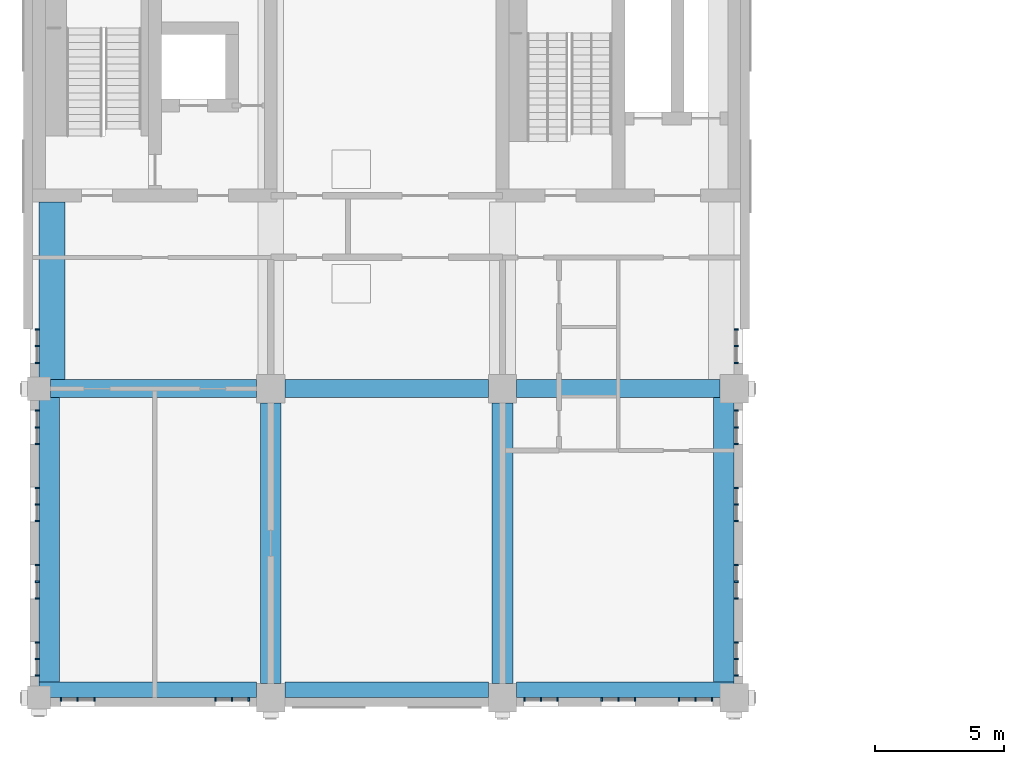
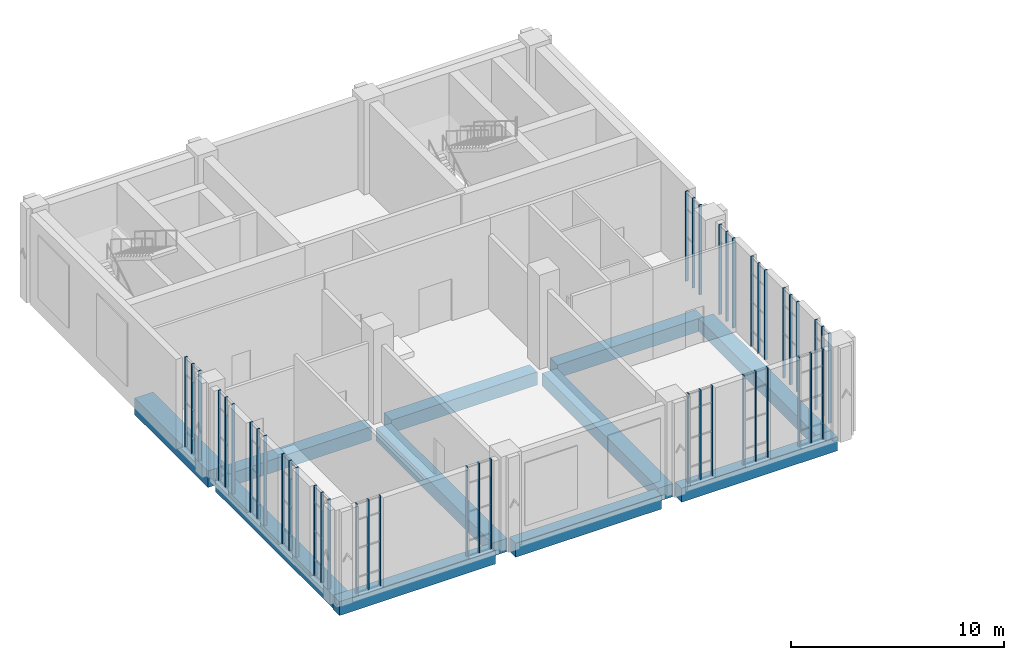
# One storey, part 2 of 25: 45 members, 11 beams, 15 elements without a shape of their own.
"""IFC4 building model written with IfcOpenShell, lengths in metres."""

from ifc_helpers import new_model, si_unit, direction, frame, origin, origin_2d, place, context, subcontext, project, spatial, rectangle, extrude, material, layer, layer_set, material_profile, profile_set, type_object, element, aggregate, save


model = new_model("IFC4")

# Units and contexts
model_context = context("Model", 3, precision=1e-05, world=origin(), true_north=direction((0.0, 1.0)))
body_context = subcontext(model_context, "Body", "Model", "MODEL_VIEW")
ifc_project = project(units=[si_unit("LENGTHUNIT", "METRE"), si_unit("AREAUNIT", "SQUARE_METRE"), si_unit("VOLUMEUNIT", "CUBIC_METRE"), si_unit("PLANEANGLEUNIT", "RADIAN"), si_unit("MASSUNIT", "GRAM", prefix="KILO")], contexts=[model_context])

# Site, building, storey
site_placement = place(None, origin())
site = spatial("IfcSite", under=ifc_project, at=site_placement, CompositionType="ELEMENT")
building_placement = place(site_placement, origin())
building = spatial("IfcBuilding", under=site, at=building_placement, Name="Aurelan Courthouse", CompositionType="ELEMENT")
storey_placement = place(building_placement, frame((0.0, 0.0, 33.60009765625)))
storey = spatial("IfcBuildingStorey", under=building, at=storey_placement, Name="L06", CompositionType="ELEMENT", Elevation=33.60009765625)

# Curtain wall, members
ifc_material_1 = material(Name="Bronze-finished aluminium and glass", Category="aluminium")
ifc_layer = layer(ifc_material_1, 0.14990234375)
ifc_layer_set = layer_set([ifc_layer], Name="Bronze-finished aluminium and glass")
curtain_wall_type = type_object("IfcCurtainWallType", Name="Curtain wall 1350 x 5150", PredefinedType="NOTDEFINED", material=ifc_layer_set)
curtain_wall_1_placement = place(storey_placement, origin())
curtain_wall_1 = element("IfcCurtainWall", 1, at=curtain_wall_1_placement, inside=storey, type_object=curtain_wall_type, Name="Curtain wall CW-V5-L06-S01", PredefinedType="NOTDEFINED")
ifc_material_2 = material(Name="Bronze-finished aluminium", Category="aluminium")
ifc_material_profile_1 = material_profile(ifc_material_2, rectangle(XDim=0.14990234375, YDim=0.06005859375, at=origin_2d()), Name="Bronze mullion 60 x 150")
ifc_profile_set_1 = profile_set([ifc_material_profile_1], Name="Bronze-finished aluminium")
member_type = type_object("IfcMemberType", Name="Curtain wall mullion 60 x 150", PredefinedType="MULLION", material=ifc_profile_set_1)
member_1_placement = place(storey_placement, frame((0.85498046875, -0.074951171875, 0.0), z_axis=(0.0, 0.0, 1.0), x_axis=(0.0, 1.0, 0.0)))
member_1 = element("IfcMember", 2, at=member_1_placement, type_object=member_type, Name="CW-V5-L06-S01 mullion 1", PredefinedType="MULLION", context=body_context, shape_type="SweptSolid", body=[
    extrude(rectangle(XDim=0.14990234375, YDim=0.06005859375, at=origin_2d()), origin(), (0.0, 0.0, 1.0), 5.14990234375),
])
member_2_placement = place(storey_placement, frame((1.5, -0.074951171875, 0.0), z_axis=(0.0, 0.0, 1.0), x_axis=(0.0, 1.0, 0.0)))
member_2 = element("IfcMember", 3, at=member_2_placement, type_object=member_type, Name="CW-V5-L06-S01 mullion 2", PredefinedType="MULLION", context=body_context, shape_type="SweptSolid", body=[
    extrude(rectangle(XDim=0.14990234375, YDim=0.06005859375, at=origin_2d()), origin(), (0.0, 0.0, 1.0), 5.14990234375),
])
member_3_placement = place(storey_placement, frame((2.14501953125, -0.074951171875, 0.0), z_axis=(0.0, 0.0, 1.0), x_axis=(0.0, 1.0, 0.0)))
member_3 = element("IfcMember", 4, at=member_3_placement, type_object=member_type, Name="CW-V5-L06-S01 mullion 3", PredefinedType="MULLION", context=body_context, shape_type="SweptSolid", body=[
    extrude(rectangle(XDim=0.14990234375, YDim=0.06005859375, at=origin_2d()), origin(), (0.0, 0.0, 1.0), 5.14990234375),
])
aggregate(curtain_wall_1, [member_1, member_2, member_3])

curtain_wall_2_placement = place(storey_placement, origin())
curtain_wall_2 = element("IfcCurtainWall", 5, at=curtain_wall_2_placement, inside=storey, type_object=curtain_wall_type, Name="Curtain wall CW-V5-L06-S02", PredefinedType="NOTDEFINED")
member_4_placement = place(storey_placement, frame((6.85498046875, -0.074951171875, 0.0), z_axis=(0.0, 0.0, 1.0), x_axis=(0.0, 1.0, 0.0)))
member_4 = element("IfcMember", 6, at=member_4_placement, type_object=member_type, Name="CW-V5-L06-S02 mullion 1", PredefinedType="MULLION", context=body_context, shape_type="SweptSolid", body=[
    extrude(rectangle(XDim=0.14990234375, YDim=0.06005859375, at=origin_2d()), origin(), (0.0, 0.0, 1.0), 5.14990234375),
])
member_5_placement = place(storey_placement, frame((7.5, -0.074951171875, 0.0), z_axis=(0.0, 0.0, 1.0), x_axis=(0.0, 1.0, 0.0)))
member_5 = element("IfcMember", 7, at=member_5_placement, type_object=member_type, Name="CW-V5-L06-S02 mullion 2", PredefinedType="MULLION", context=body_context, shape_type="SweptSolid", body=[
    extrude(rectangle(XDim=0.14990234375, YDim=0.06005859375, at=origin_2d()), origin(), (0.0, 0.0, 1.0), 5.14990234375),
])
member_6_placement = place(storey_placement, frame((8.14501953125, -0.074951171875, 0.0), z_axis=(0.0, 0.0, 1.0), x_axis=(0.0, 1.0, 0.0)))
member_6 = element("IfcMember", 8, at=member_6_placement, type_object=member_type, Name="CW-V5-L06-S02 mullion 3", PredefinedType="MULLION", context=body_context, shape_type="SweptSolid", body=[
    extrude(rectangle(XDim=0.14990234375, YDim=0.06005859375, at=origin_2d()), origin(), (0.0, 0.0, 1.0), 5.14990234375),
])
aggregate(curtain_wall_2, [member_4, member_5, member_6])

curtain_wall_3_placement = place(storey_placement, origin())
curtain_wall_3 = element("IfcCurtainWall", 9, at=curtain_wall_3_placement, inside=storey, type_object=curtain_wall_type, Name="Curtain wall CW-V5-L06-S03", PredefinedType="NOTDEFINED")
member_7_placement = place(storey_placement, frame((18.85498046875, -0.074951171875, 0.0), z_axis=(0.0, 0.0, 1.0), x_axis=(0.0, 1.0, 0.0)))
member_7 = element("IfcMember", 10, at=member_7_placement, type_object=member_type, Name="CW-V5-L06-S03 mullion 1", PredefinedType="MULLION", context=body_context, shape_type="SweptSolid", body=[
    extrude(rectangle(XDim=0.14990234375, YDim=0.06005859375, at=origin_2d()), origin(), (0.0, 0.0, 1.0), 5.14990234375),
])
member_8_placement = place(storey_placement, frame((19.5, -0.074951171875, 0.0), z_axis=(0.0, 0.0, 1.0), x_axis=(0.0, 1.0, 0.0)))
member_8 = element("IfcMember", 11, at=member_8_placement, type_object=member_type, Name="CW-V5-L06-S03 mullion 2", PredefinedType="MULLION", context=body_context, shape_type="SweptSolid", body=[
    extrude(rectangle(XDim=0.14990234375, YDim=0.06005859375, at=origin_2d()), origin(), (0.0, 0.0, 1.0), 5.14990234375),
])
member_9_placement = place(storey_placement, frame((20.14501953125, -0.074951171875, 0.0), z_axis=(0.0, 0.0, 1.0), x_axis=(0.0, 1.0, 0.0)))
member_9 = element("IfcMember", 12, at=member_9_placement, type_object=member_type, Name="CW-V5-L06-S03 mullion 3", PredefinedType="MULLION", context=body_context, shape_type="SweptSolid", body=[
    extrude(rectangle(XDim=0.14990234375, YDim=0.06005859375, at=origin_2d()), origin(), (0.0, 0.0, 1.0), 5.14990234375),
])
aggregate(curtain_wall_3, [member_7, member_8, member_9])

curtain_wall_4_placement = place(storey_placement, origin())
curtain_wall_4 = element("IfcCurtainWall", 13, at=curtain_wall_4_placement, inside=storey, type_object=curtain_wall_type, Name="Curtain wall CW-V5-L06-S04", PredefinedType="NOTDEFINED")
member_10_placement = place(storey_placement, frame((21.85498046875, -0.074951171875, 0.0), z_axis=(0.0, 0.0, 1.0), x_axis=(0.0, 1.0, 0.0)))
member_10 = element("IfcMember", 14, at=member_10_placement, type_object=member_type, Name="CW-V5-L06-S04 mullion 1", PredefinedType="MULLION", context=body_context, shape_type="SweptSolid", body=[
    extrude(rectangle(XDim=0.14990234375, YDim=0.06005859375, at=origin_2d()), origin(), (0.0, 0.0, 1.0), 5.14990234375),
])
member_11_placement = place(storey_placement, frame((22.5, -0.074951171875, 0.0), z_axis=(0.0, 0.0, 1.0), x_axis=(0.0, 1.0, 0.0)))
member_11 = element("IfcMember", 15, at=member_11_placement, type_object=member_type, Name="CW-V5-L06-S04 mullion 2", PredefinedType="MULLION", context=body_context, shape_type="SweptSolid", body=[
    extrude(rectangle(XDim=0.14990234375, YDim=0.06005859375, at=origin_2d()), origin(), (0.0, 0.0, 1.0), 5.14990234375),
])
member_12_placement = place(storey_placement, frame((23.14501953125, -0.074951171875, 0.0), z_axis=(0.0, 0.0, 1.0), x_axis=(0.0, 1.0, 0.0)))
member_12 = element("IfcMember", 16, at=member_12_placement, type_object=member_type, Name="CW-V5-L06-S04 mullion 3", PredefinedType="MULLION", context=body_context, shape_type="SweptSolid", body=[
    extrude(rectangle(XDim=0.14990234375, YDim=0.06005859375, at=origin_2d()), origin(), (0.0, 0.0, 1.0), 5.14990234375),
])
aggregate(curtain_wall_4, [member_10, member_11, member_12])

curtain_wall_5_placement = place(storey_placement, origin())
curtain_wall_5 = element("IfcCurtainWall", 17, at=curtain_wall_5_placement, inside=storey, type_object=curtain_wall_type, Name="Curtain wall CW-V5-L06-S05", PredefinedType="NOTDEFINED")
member_13_placement = place(storey_placement, frame((24.85498046875, -0.074951171875, 0.0), z_axis=(0.0, 0.0, 1.0), x_axis=(0.0, 1.0, 0.0)))
member_13 = element("IfcMember", 18, at=member_13_placement, type_object=member_type, Name="CW-V5-L06-S05 mullion 1", PredefinedType="MULLION", context=body_context, shape_type="SweptSolid", body=[
    extrude(rectangle(XDim=0.14990234375, YDim=0.06005859375, at=origin_2d()), origin(), (0.0, 0.0, 1.0), 5.14990234375),
])
member_14_placement = place(storey_placement, frame((25.5, -0.074951171875, 0.0), z_axis=(0.0, 0.0, 1.0), x_axis=(0.0, 1.0, 0.0)))
member_14 = element("IfcMember", 19, at=member_14_placement, type_object=member_type, Name="CW-V5-L06-S05 mullion 2", PredefinedType="MULLION", context=body_context, shape_type="SweptSolid", body=[
    extrude(rectangle(XDim=0.14990234375, YDim=0.06005859375, at=origin_2d()), origin(), (0.0, 0.0, 1.0), 5.14990234375),
])
member_15_placement = place(storey_placement, frame((26.14501953125, -0.074951171875, 0.0), z_axis=(0.0, 0.0, 1.0), x_axis=(0.0, 1.0, 0.0)))
member_15 = element("IfcMember", 20, at=member_15_placement, type_object=member_type, Name="CW-V5-L06-S05 mullion 3", PredefinedType="MULLION", context=body_context, shape_type="SweptSolid", body=[
    extrude(rectangle(XDim=0.14990234375, YDim=0.06005859375, at=origin_2d()), origin(), (0.0, 0.0, 1.0), 5.14990234375),
])
aggregate(curtain_wall_5, [member_13, member_14, member_15])

curtain_wall_6_placement = place(storey_placement, origin())
curtain_wall_6 = element("IfcCurtainWall", 21, at=curtain_wall_6_placement, inside=storey, type_object=curtain_wall_type, Name="Curtain wall CW-V5-L06-E01", PredefinedType="NOTDEFINED")
member_16_placement = place(storey_placement, frame((27.074951171875, 0.85498046875, 0.0), z_axis=(0.0, 0.0, 1.0), x_axis=(-1.0, 0.0, 0.0)))
member_16 = element("IfcMember", 22, at=member_16_placement, type_object=member_type, Name="CW-V5-L06-E01 mullion 1", PredefinedType="MULLION", context=body_context, shape_type="SweptSolid", body=[
    extrude(rectangle(XDim=0.14990234375, YDim=0.06005859375, at=origin_2d()), origin(), (0.0, 0.0, 1.0), 5.14990234375),
])
member_17_placement = place(storey_placement, frame((27.074951171875, 1.5, 0.0), z_axis=(0.0, 0.0, 1.0), x_axis=(-1.0, 0.0, 0.0)))
member_17 = element("IfcMember", 23, at=member_17_placement, type_object=member_type, Name="CW-V5-L06-E01 mullion 2", PredefinedType="MULLION", context=body_context, shape_type="SweptSolid", body=[
    extrude(rectangle(XDim=0.14990234375, YDim=0.06005859375, at=origin_2d()), origin(), (0.0, 0.0, 1.0), 5.14990234375),
])
member_18_placement = place(storey_placement, frame((27.074951171875, 2.14501953125, 0.0), z_axis=(0.0, 0.0, 1.0), x_axis=(-1.0, 0.0, 0.0)))
member_18 = element("IfcMember", 24, at=member_18_placement, type_object=member_type, Name="CW-V5-L06-E01 mullion 3", PredefinedType="MULLION", context=body_context, shape_type="SweptSolid", body=[
    extrude(rectangle(XDim=0.14990234375, YDim=0.06005859375, at=origin_2d()), origin(), (0.0, 0.0, 1.0), 5.14990234375),
])
aggregate(curtain_wall_6, [member_16, member_17, member_18])

curtain_wall_7_placement = place(storey_placement, origin())
curtain_wall_7 = element("IfcCurtainWall", 25, at=curtain_wall_7_placement, inside=storey, type_object=curtain_wall_type, Name="Curtain wall CW-V5-L06-E02", PredefinedType="NOTDEFINED")
member_19_placement = place(storey_placement, frame((27.074951171875, 3.85498046875, 0.0), z_axis=(0.0, 0.0, 1.0), x_axis=(-1.0, 0.0, 0.0)))
member_19 = element("IfcMember", 26, at=member_19_placement, type_object=member_type, Name="CW-V5-L06-E02 mullion 1", PredefinedType="MULLION", context=body_context, shape_type="SweptSolid", body=[
    extrude(rectangle(XDim=0.14990234375, YDim=0.06005859375, at=origin_2d()), origin(), (0.0, 0.0, 1.0), 5.14990234375),
])
member_20_placement = place(storey_placement, frame((27.074951171875, 4.5, 0.0), z_axis=(0.0, 0.0, 1.0), x_axis=(-1.0, 0.0, 0.0)))
member_20 = element("IfcMember", 27, at=member_20_placement, type_object=member_type, Name="CW-V5-L06-E02 mullion 2", PredefinedType="MULLION", context=body_context, shape_type="SweptSolid", body=[
    extrude(rectangle(XDim=0.14990234375, YDim=0.06005859375, at=origin_2d()), origin(), (0.0, 0.0, 1.0), 5.14990234375),
])
member_21_placement = place(storey_placement, frame((27.074951171875, 5.14501953125, 0.0), z_axis=(0.0, 0.0, 1.0), x_axis=(-1.0, 0.0, 0.0)))
member_21 = element("IfcMember", 28, at=member_21_placement, type_object=member_type, Name="CW-V5-L06-E02 mullion 3", PredefinedType="MULLION", context=body_context, shape_type="SweptSolid", body=[
    extrude(rectangle(XDim=0.14990234375, YDim=0.06005859375, at=origin_2d()), origin(), (0.0, 0.0, 1.0), 5.14990234375),
])
aggregate(curtain_wall_7, [member_19, member_20, member_21])

curtain_wall_8_placement = place(storey_placement, origin())
curtain_wall_8 = element("IfcCurtainWall", 29, at=curtain_wall_8_placement, inside=storey, type_object=curtain_wall_type, Name="Curtain wall CW-V5-L06-E03", PredefinedType="NOTDEFINED")
member_22_placement = place(storey_placement, frame((27.074951171875, 6.85498046875, 0.0), z_axis=(0.0, 0.0, 1.0), x_axis=(-1.0, 0.0, 0.0)))
member_22 = element("IfcMember", 30, at=member_22_placement, type_object=member_type, Name="CW-V5-L06-E03 mullion 1", PredefinedType="MULLION", context=body_context, shape_type="SweptSolid", body=[
    extrude(rectangle(XDim=0.14990234375, YDim=0.06005859375, at=origin_2d()), origin(), (0.0, 0.0, 1.0), 5.14990234375),
])
member_23_placement = place(storey_placement, frame((27.074951171875, 7.5, 0.0), z_axis=(0.0, 0.0, 1.0), x_axis=(-1.0, 0.0, 0.0)))
member_23 = element("IfcMember", 31, at=member_23_placement, type_object=member_type, Name="CW-V5-L06-E03 mullion 2", PredefinedType="MULLION", context=body_context, shape_type="SweptSolid", body=[
    extrude(rectangle(XDim=0.14990234375, YDim=0.06005859375, at=origin_2d()), origin(), (0.0, 0.0, 1.0), 5.14990234375),
])
member_24_placement = place(storey_placement, frame((27.074951171875, 8.14501953125, 0.0), z_axis=(0.0, 0.0, 1.0), x_axis=(-1.0, 0.0, 0.0)))
member_24 = element("IfcMember", 32, at=member_24_placement, type_object=member_type, Name="CW-V5-L06-E03 mullion 3", PredefinedType="MULLION", context=body_context, shape_type="SweptSolid", body=[
    extrude(rectangle(XDim=0.14990234375, YDim=0.06005859375, at=origin_2d()), origin(), (0.0, 0.0, 1.0), 5.14990234375),
])
aggregate(curtain_wall_8, [member_22, member_23, member_24])

curtain_wall_9_placement = place(storey_placement, origin())
curtain_wall_9 = element("IfcCurtainWall", 33, at=curtain_wall_9_placement, inside=storey, type_object=curtain_wall_type, Name="Curtain wall CW-V5-L06-E04", PredefinedType="NOTDEFINED")
member_25_placement = place(storey_placement, frame((27.074951171875, 9.85498046875, 0.0), z_axis=(0.0, 0.0, 1.0), x_axis=(-1.0, 0.0, 0.0)))
member_25 = element("IfcMember", 34, at=member_25_placement, type_object=member_type, Name="CW-V5-L06-E04 mullion 1", PredefinedType="MULLION", context=body_context, shape_type="SweptSolid", body=[
    extrude(rectangle(XDim=0.14990234375, YDim=0.06005859375, at=origin_2d()), origin(), (0.0, 0.0, 1.0), 5.14990234375),
])
member_26_placement = place(storey_placement, frame((27.074951171875, 10.5, 0.0), z_axis=(0.0, 0.0, 1.0), x_axis=(-1.0, 0.0, 0.0)))
member_26 = element("IfcMember", 35, at=member_26_placement, type_object=member_type, Name="CW-V5-L06-E04 mullion 2", PredefinedType="MULLION", context=body_context, shape_type="SweptSolid", body=[
    extrude(rectangle(XDim=0.14990234375, YDim=0.06005859375, at=origin_2d()), origin(), (0.0, 0.0, 1.0), 5.14990234375),
])
member_27_placement = place(storey_placement, frame((27.074951171875, 11.14501953125, 0.0), z_axis=(0.0, 0.0, 1.0), x_axis=(-1.0, 0.0, 0.0)))
member_27 = element("IfcMember", 36, at=member_27_placement, type_object=member_type, Name="CW-V5-L06-E04 mullion 3", PredefinedType="MULLION", context=body_context, shape_type="SweptSolid", body=[
    extrude(rectangle(XDim=0.14990234375, YDim=0.06005859375, at=origin_2d()), origin(), (0.0, 0.0, 1.0), 5.14990234375),
])
aggregate(curtain_wall_9, [member_25, member_26, member_27])

curtain_wall_10_placement = place(storey_placement, origin())
curtain_wall_10 = element("IfcCurtainWall", 37, at=curtain_wall_10_placement, inside=storey, type_object=curtain_wall_type, Name="Curtain wall CW-V5-L06-E05", PredefinedType="NOTDEFINED")
member_28_placement = place(storey_placement, frame((27.074951171875, 13.0048828125, 0.0), z_axis=(0.0, 0.0, 1.0), x_axis=(-1.0, 0.0, 0.0)))
member_28 = element("IfcMember", 38, at=member_28_placement, type_object=member_type, Name="CW-V5-L06-E05 mullion 1", PredefinedType="MULLION", context=body_context, shape_type="SweptSolid", body=[
    extrude(rectangle(XDim=0.14990234375, YDim=0.06005859375, at=origin_2d()), origin(), (0.0, 0.0, 1.0), 5.14990234375),
])
member_29_placement = place(storey_placement, frame((27.074951171875, 13.64990234375, 0.0), z_axis=(0.0, 0.0, 1.0), x_axis=(-1.0, 0.0, 0.0)))
member_29 = element("IfcMember", 39, at=member_29_placement, type_object=member_type, Name="CW-V5-L06-E05 mullion 2", PredefinedType="MULLION", context=body_context, shape_type="SweptSolid", body=[
    extrude(rectangle(XDim=0.14990234375, YDim=0.06005859375, at=origin_2d()), origin(), (0.0, 0.0, 1.0), 5.14990234375),
])
member_30_placement = place(storey_placement, frame((27.074951171875, 14.294921875, 0.0), z_axis=(0.0, 0.0, 1.0), x_axis=(-1.0, 0.0, 0.0)))
member_30 = element("IfcMember", 40, at=member_30_placement, type_object=member_type, Name="CW-V5-L06-E05 mullion 3", PredefinedType="MULLION", context=body_context, shape_type="SweptSolid", body=[
    extrude(rectangle(XDim=0.14990234375, YDim=0.06005859375, at=origin_2d()), origin(), (0.0, 0.0, 1.0), 5.14990234375),
])
aggregate(curtain_wall_10, [member_28, member_29, member_30])

curtain_wall_11_placement = place(storey_placement, origin())
curtain_wall_11 = element("IfcCurtainWall", 41, at=curtain_wall_11_placement, inside=storey, type_object=curtain_wall_type, Name="Curtain wall CW-V5-L06-W01", PredefinedType="NOTDEFINED")
member_31_placement = place(storey_placement, frame((-0.074951171875, 0.85498046875, 0.0), z_axis=(0.0, 0.0, 1.0), x_axis=(-1.0, 0.0, 0.0)))
member_31 = element("IfcMember", 42, at=member_31_placement, type_object=member_type, Name="CW-V5-L06-W01 mullion 1", PredefinedType="MULLION", context=body_context, shape_type="SweptSolid", body=[
    extrude(rectangle(XDim=0.14990234375, YDim=0.06005859375, at=origin_2d()), origin(), (0.0, 0.0, 1.0), 5.14990234375),
])
member_32_placement = place(storey_placement, frame((-0.074951171875, 1.5, 0.0), z_axis=(0.0, 0.0, 1.0), x_axis=(-1.0, 0.0, 0.0)))
member_32 = element("IfcMember", 43, at=member_32_placement, type_object=member_type, Name="CW-V5-L06-W01 mullion 2", PredefinedType="MULLION", context=body_context, shape_type="SweptSolid", body=[
    extrude(rectangle(XDim=0.14990234375, YDim=0.06005859375, at=origin_2d()), origin(), (0.0, 0.0, 1.0), 5.14990234375),
])
member_33_placement = place(storey_placement, frame((-0.074951171875, 2.14501953125, 0.0), z_axis=(0.0, 0.0, 1.0), x_axis=(-1.0, 0.0, 0.0)))
member_33 = element("IfcMember", 44, at=member_33_placement, type_object=member_type, Name="CW-V5-L06-W01 mullion 3", PredefinedType="MULLION", context=body_context, shape_type="SweptSolid", body=[
    extrude(rectangle(XDim=0.14990234375, YDim=0.06005859375, at=origin_2d()), origin(), (0.0, 0.0, 1.0), 5.14990234375),
])
aggregate(curtain_wall_11, [member_31, member_32, member_33])

curtain_wall_12_placement = place(storey_placement, origin())
curtain_wall_12 = element("IfcCurtainWall", 45, at=curtain_wall_12_placement, inside=storey, type_object=curtain_wall_type, Name="Curtain wall CW-V5-L06-W02", PredefinedType="NOTDEFINED")
member_34_placement = place(storey_placement, frame((-0.074951171875, 3.85498046875, 0.0), z_axis=(0.0, 0.0, 1.0), x_axis=(-1.0, 0.0, 0.0)))
member_34 = element("IfcMember", 46, at=member_34_placement, type_object=member_type, Name="CW-V5-L06-W02 mullion 1", PredefinedType="MULLION", context=body_context, shape_type="SweptSolid", body=[
    extrude(rectangle(XDim=0.14990234375, YDim=0.06005859375, at=origin_2d()), origin(), (0.0, 0.0, 1.0), 5.14990234375),
])
member_35_placement = place(storey_placement, frame((-0.074951171875, 4.5, 0.0), z_axis=(0.0, 0.0, 1.0), x_axis=(-1.0, 0.0, 0.0)))
member_35 = element("IfcMember", 47, at=member_35_placement, type_object=member_type, Name="CW-V5-L06-W02 mullion 2", PredefinedType="MULLION", context=body_context, shape_type="SweptSolid", body=[
    extrude(rectangle(XDim=0.14990234375, YDim=0.06005859375, at=origin_2d()), origin(), (0.0, 0.0, 1.0), 5.14990234375),
])
member_36_placement = place(storey_placement, frame((-0.074951171875, 5.14501953125, 0.0), z_axis=(0.0, 0.0, 1.0), x_axis=(-1.0, 0.0, 0.0)))
member_36 = element("IfcMember", 48, at=member_36_placement, type_object=member_type, Name="CW-V5-L06-W02 mullion 3", PredefinedType="MULLION", context=body_context, shape_type="SweptSolid", body=[
    extrude(rectangle(XDim=0.14990234375, YDim=0.06005859375, at=origin_2d()), origin(), (0.0, 0.0, 1.0), 5.14990234375),
])
aggregate(curtain_wall_12, [member_34, member_35, member_36])

curtain_wall_13_placement = place(storey_placement, origin())
curtain_wall_13 = element("IfcCurtainWall", 49, at=curtain_wall_13_placement, inside=storey, type_object=curtain_wall_type, Name="Curtain wall CW-V5-L06-W03", PredefinedType="NOTDEFINED")
member_37_placement = place(storey_placement, frame((-0.074951171875, 6.85498046875, 0.0), z_axis=(0.0, 0.0, 1.0), x_axis=(-1.0, 0.0, 0.0)))
member_37 = element("IfcMember", 50, at=member_37_placement, type_object=member_type, Name="CW-V5-L06-W03 mullion 1", PredefinedType="MULLION", context=body_context, shape_type="SweptSolid", body=[
    extrude(rectangle(XDim=0.14990234375, YDim=0.06005859375, at=origin_2d()), origin(), (0.0, 0.0, 1.0), 5.14990234375),
])
member_38_placement = place(storey_placement, frame((-0.074951171875, 7.5, 0.0), z_axis=(0.0, 0.0, 1.0), x_axis=(-1.0, 0.0, 0.0)))
member_38 = element("IfcMember", 51, at=member_38_placement, type_object=member_type, Name="CW-V5-L06-W03 mullion 2", PredefinedType="MULLION", context=body_context, shape_type="SweptSolid", body=[
    extrude(rectangle(XDim=0.14990234375, YDim=0.06005859375, at=origin_2d()), origin(), (0.0, 0.0, 1.0), 5.14990234375),
])
member_39_placement = place(storey_placement, frame((-0.074951171875, 8.14501953125, 0.0), z_axis=(0.0, 0.0, 1.0), x_axis=(-1.0, 0.0, 0.0)))
member_39 = element("IfcMember", 52, at=member_39_placement, type_object=member_type, Name="CW-V5-L06-W03 mullion 3", PredefinedType="MULLION", context=body_context, shape_type="SweptSolid", body=[
    extrude(rectangle(XDim=0.14990234375, YDim=0.06005859375, at=origin_2d()), origin(), (0.0, 0.0, 1.0), 5.14990234375),
])
aggregate(curtain_wall_13, [member_37, member_38, member_39])

curtain_wall_14_placement = place(storey_placement, origin())
curtain_wall_14 = element("IfcCurtainWall", 53, at=curtain_wall_14_placement, inside=storey, type_object=curtain_wall_type, Name="Curtain wall CW-V5-L06-W04", PredefinedType="NOTDEFINED")
member_40_placement = place(storey_placement, frame((-0.074951171875, 9.85498046875, 0.0), z_axis=(0.0, 0.0, 1.0), x_axis=(-1.0, 0.0, 0.0)))
member_40 = element("IfcMember", 54, at=member_40_placement, type_object=member_type, Name="CW-V5-L06-W04 mullion 1", PredefinedType="MULLION", context=body_context, shape_type="SweptSolid", body=[
    extrude(rectangle(XDim=0.14990234375, YDim=0.06005859375, at=origin_2d()), origin(), (0.0, 0.0, 1.0), 5.14990234375),
])
member_41_placement = place(storey_placement, frame((-0.074951171875, 10.5, 0.0), z_axis=(0.0, 0.0, 1.0), x_axis=(-1.0, 0.0, 0.0)))
member_41 = element("IfcMember", 55, at=member_41_placement, type_object=member_type, Name="CW-V5-L06-W04 mullion 2", PredefinedType="MULLION", context=body_context, shape_type="SweptSolid", body=[
    extrude(rectangle(XDim=0.14990234375, YDim=0.06005859375, at=origin_2d()), origin(), (0.0, 0.0, 1.0), 5.14990234375),
])
member_42_placement = place(storey_placement, frame((-0.074951171875, 11.14501953125, 0.0), z_axis=(0.0, 0.0, 1.0), x_axis=(-1.0, 0.0, 0.0)))
member_42 = element("IfcMember", 56, at=member_42_placement, type_object=member_type, Name="CW-V5-L06-W04 mullion 3", PredefinedType="MULLION", context=body_context, shape_type="SweptSolid", body=[
    extrude(rectangle(XDim=0.14990234375, YDim=0.06005859375, at=origin_2d()), origin(), (0.0, 0.0, 1.0), 5.14990234375),
])
aggregate(curtain_wall_14, [member_40, member_41, member_42])

curtain_wall_15_placement = place(storey_placement, origin())
curtain_wall_15 = element("IfcCurtainWall", 57, at=curtain_wall_15_placement, inside=storey, type_object=curtain_wall_type, Name="Curtain wall CW-V5-L06-W05", PredefinedType="NOTDEFINED")
member_43_placement = place(storey_placement, frame((-0.074951171875, 13.0048828125, 0.0), z_axis=(0.0, 0.0, 1.0), x_axis=(-1.0, 0.0, 0.0)))
member_43 = element("IfcMember", 58, at=member_43_placement, type_object=member_type, Name="CW-V5-L06-W05 mullion 1", PredefinedType="MULLION", context=body_context, shape_type="SweptSolid", body=[
    extrude(rectangle(XDim=0.14990234375, YDim=0.06005859375, at=origin_2d()), origin(), (0.0, 0.0, 1.0), 5.14990234375),
])
member_44_placement = place(storey_placement, frame((-0.074951171875, 13.64990234375, 0.0), z_axis=(0.0, 0.0, 1.0), x_axis=(-1.0, 0.0, 0.0)))
member_44 = element("IfcMember", 59, at=member_44_placement, type_object=member_type, Name="CW-V5-L06-W05 mullion 2", PredefinedType="MULLION", context=body_context, shape_type="SweptSolid", body=[
    extrude(rectangle(XDim=0.14990234375, YDim=0.06005859375, at=origin_2d()), origin(), (0.0, 0.0, 1.0), 5.14990234375),
])
member_45_placement = place(storey_placement, frame((-0.074951171875, 14.294921875, 0.0), z_axis=(0.0, 0.0, 1.0), x_axis=(-1.0, 0.0, 0.0)))
member_45 = element("IfcMember", 60, at=member_45_placement, type_object=member_type, Name="CW-V5-L06-W05 mullion 3", PredefinedType="MULLION", context=body_context, shape_type="SweptSolid", body=[
    extrude(rectangle(XDim=0.14990234375, YDim=0.06005859375, at=origin_2d()), origin(), (0.0, 0.0, 1.0), 5.14990234375),
])
aggregate(curtain_wall_15, [member_43, member_44, member_45])

# Beams
ifc_material_3 = material(Name="Concrete C50", Category="concrete")
ifc_material_profile_2 = material_profile(ifc_material_3, rectangle(XDim=0.699951171875, YDim=0.75, at=origin_2d()), Name="RC 700 x 750")
ifc_profile_set_2 = profile_set([ifc_material_profile_2], Name="Concrete C50")
beam_type_1 = type_object("IfcBeamType", Name="PT beam 700 x 750", PredefinedType="BEAM", material=ifc_profile_set_2)
beam_1_placement = place(storey_placement, frame((0.449951171875, 12.0, -0.625), z_axis=(1.0, 0.0, 0.0), x_axis=(0.0, 1.0, 0.0)))
element("IfcBeam", 61, at=beam_1_placement, inside=storey, type_object=beam_type_1, Name="Beam EB-B-1-2", PredefinedType="BEAM", context=body_context, shape_type="SweptSolid", body=[
    extrude(rectangle(XDim=0.699951171875, YDim=0.75, at=origin_2d()), origin(), (0.0, 0.0, 1.0), 8.0),
])
for number, where, z_axis, x_axis, name in (
    (62, (9.550048828125, 12.0, -0.625), (1.0, 0.0, 0.0), (0.0, 1.0, 0.0), "Beam EB-B-2-3"),
    (63, (18.550048828125, 12.0, -0.625), (1.0, 0.0, 0.0), (0.0, 1.0, 0.0), "Beam EB-B-3-4"),
):
    element("IfcBeam", number, at=place(storey_placement, frame(where, z_axis=z_axis, x_axis=x_axis)), inside=storey, type_object=beam_type_1, Name=name, PredefinedType="BEAM", context=body_context, shape_type="SweptSolid", body=[
        extrude(rectangle(XDim=0.699951171875, YDim=0.75, at=origin_2d()), origin(), (0.0, 0.0, 1.0), 7.89990234375),
    ])
ifc_material_profile_3 = material_profile(ifc_material_3, rectangle(XDim=1.0, YDim=0.949951171875, at=origin_2d()), Name="RC 1000 x 950")
ifc_profile_set_3 = profile_set([ifc_material_profile_3], Name="Concrete C50")
beam_type_2 = type_object("IfcBeamType", Name="PT girder 1000 x 950", PredefinedType="BEAM", material=ifc_profile_set_3)
beam_2_placement = place(storey_placement, frame((0.5, 12.35009765625, -0.72509765625), z_axis=(0.0, 1.0, 0.0), x_axis=(-1.0, 0.0, 0.0)))
element("IfcBeam", 64, at=beam_2_placement, inside=storey, type_object=beam_type_2, Name="Girder GB-1BC-E", PredefinedType="BEAM", context=body_context, shape_type="SweptSolid", body=[
    extrude(rectangle(XDim=1.0, YDim=0.949951171875, at=origin_2d()), origin(), (0.0, 0.0, 1.0), 6.89990234375),
])
ifc_material_profile_4 = material_profile(ifc_material_3, rectangle(XDim=0.800048828125, YDim=0.75, at=origin_2d()), Name="RC 800 x 750")
ifc_profile_set_4 = profile_set([ifc_material_profile_4], Name="Concrete C50")
beam_type_3 = type_object("IfcBeamType", Name="PT girder 800 x 750", PredefinedType="BEAM", material=ifc_profile_set_4)
beam_3_placement = place(storey_placement, frame((0.39990234375, 0.60009765625, -0.625), z_axis=(0.0, 1.0, 0.0), x_axis=(-1.0, 0.0, 0.0)))
element("IfcBeam", 65, at=beam_3_placement, inside=storey, type_object=beam_type_3, Name="Girder GB-1AB-E", PredefinedType="BEAM", context=body_context, shape_type="SweptSolid", body=[
    extrude(rectangle(XDim=0.800048828125, YDim=0.75, at=origin_2d()), origin(), (0.0, 0.0, 1.0), 11.0498046875),
])
for number, where, z_axis, x_axis, name in (
    (66, (9.0, 0.550048828125, -0.625), (0.0, 1.0, 0.0), (-1.0, 0.0, 0.0), "Girder GB-2AB"),
    (67, (18.0, 0.550048828125, -0.625), (0.0, 1.0, 0.0), (-1.0, 0.0, 0.0), "Girder GB-3AB"),
):
    element("IfcBeam", number, at=place(storey_placement, frame(where, z_axis=z_axis, x_axis=x_axis)), inside=storey, type_object=beam_type_3, Name=name, PredefinedType="BEAM", context=body_context, shape_type="SweptSolid", body=[
        extrude(rectangle(XDim=0.800048828125, YDim=0.75, at=origin_2d()), origin(), (0.0, 0.0, 1.0), 10.89990234375),
    ])
beam_4_placement = place(storey_placement, frame((26.60009765625, 0.60009765625, -0.625), z_axis=(0.0, 1.0, 0.0), x_axis=(-1.0, 0.0, 0.0)))
element("IfcBeam", 68, at=beam_4_placement, inside=storey, type_object=beam_type_3, Name="Girder GB-4AB-E", PredefinedType="BEAM", context=body_context, shape_type="SweptSolid", body=[
    extrude(rectangle(XDim=0.800048828125, YDim=0.75, at=origin_2d()), origin(), (0.0, 0.0, 1.0), 11.0498046875),
])
ifc_material_profile_5 = material_profile(ifc_material_3, rectangle(XDim=0.60009765625, YDim=0.800048828125, at=origin_2d()), Name="RC 600 x 800")
ifc_profile_set_5 = profile_set([ifc_material_profile_5], Name="Concrete C50")
beam_type_4 = type_object("IfcBeamType", Name="RC spandrel beam 600 x 800", PredefinedType="SPANDREL", material=ifc_profile_set_5)
beam_5_placement = place(storey_placement, frame((0.0, 0.300048828125, -0.650146484375), z_axis=(1.0, 0.0, 0.0), x_axis=(0.0, 1.0, 0.0)))
element("IfcBeam", 69, at=beam_5_placement, inside=storey, type_object=beam_type_4, Name="Spandrel beam SB-A-1-2", PredefinedType="SPANDREL", context=body_context, shape_type="SweptSolid", body=[
    extrude(rectangle(XDim=0.60009765625, YDim=0.800048828125, at=origin_2d()), origin(), (0.0, 0.0, 1.0), 8.449951171875),
])
beam_6_placement = place(storey_placement, frame((9.550048828125, 0.300048828125, -0.650146484375), z_axis=(1.0, 0.0, 0.0), x_axis=(0.0, 1.0, 0.0)))
element("IfcBeam", 70, at=beam_6_placement, inside=storey, type_object=beam_type_4, Name="Spandrel beam SB-A-2-3", PredefinedType="SPANDREL", context=body_context, shape_type="SweptSolid", body=[
    extrude(rectangle(XDim=0.60009765625, YDim=0.800048828125, at=origin_2d()), origin(), (0.0, 0.0, 1.0), 7.89990234375),
])
beam_7_placement = place(storey_placement, frame((18.550048828125, 0.300048828125, -0.650146484375), z_axis=(1.0, 0.0, 0.0), x_axis=(0.0, 1.0, 0.0)))
element("IfcBeam", 71, at=beam_7_placement, inside=storey, type_object=beam_type_4, Name="Spandrel beam SB-A-3-4", PredefinedType="SPANDREL", context=body_context, shape_type="SweptSolid", body=[
    extrude(rectangle(XDim=0.60009765625, YDim=0.800048828125, at=origin_2d()), origin(), (0.0, 0.0, 1.0), 8.449951171875),
])

save(model, "model.ifc")
